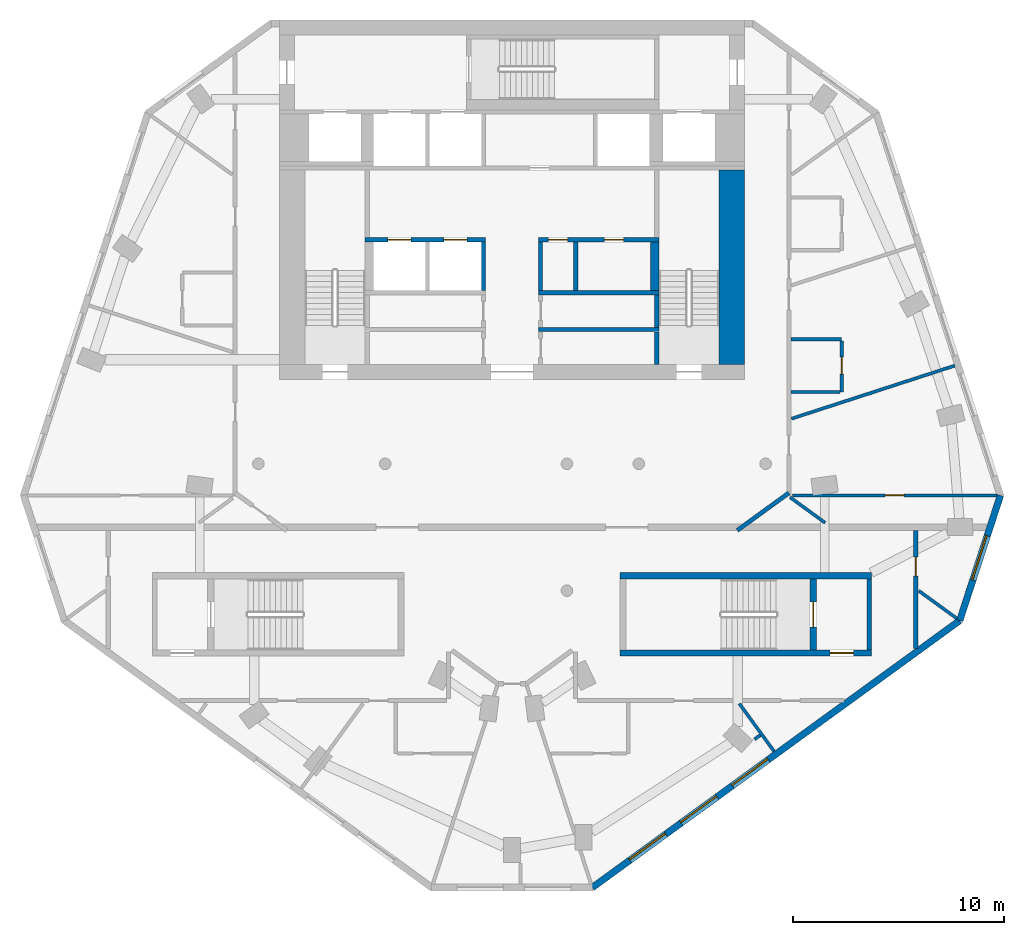
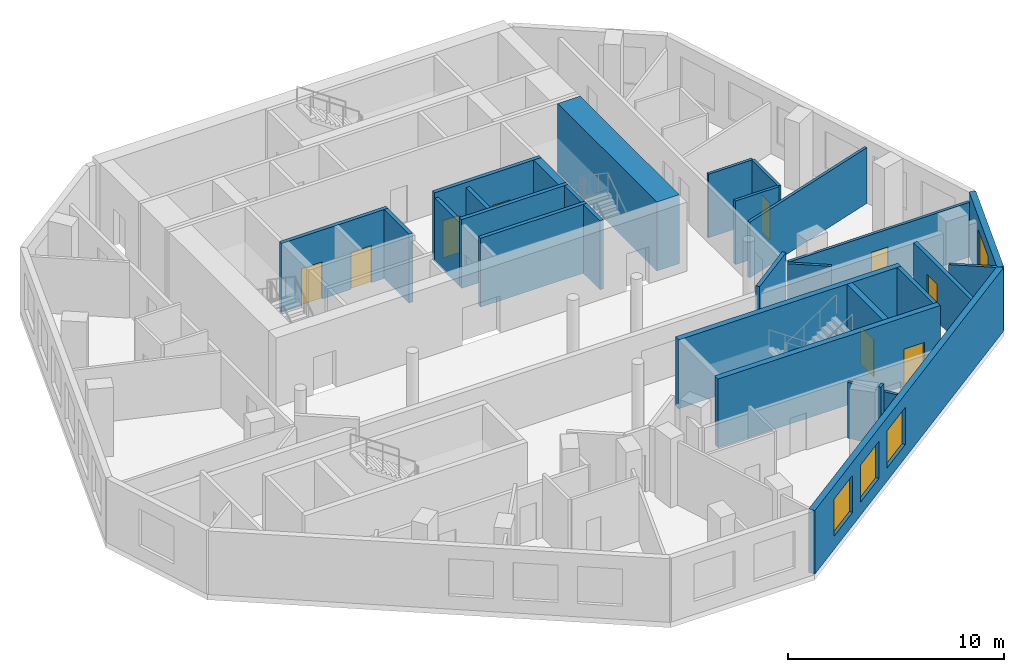
# One storey, part 4 of 8: 28 walls, 9 doors, 4 windows, 13 openings.
"""IFC4 building model written with IfcOpenShell, lengths in metres."""

import ifcopenshell
import ifcopenshell.guid

model = None  # the IFC model being written
_history = None  # IfcOwnerHistory: only IFC2X3 demands one
_inside = {}  # id of a spatial element -> (the spatial element, [elements in it])
_under = {}  # id of a project, library or spatial element -> (it, [spatial elements below it])
_declared = {}  # id of a project -> (the project, [libraries it declares])
_typed = {}  # id of a type object -> (the type object, [elements of that type])
_made_of = {}  # id of a material, layer set ... -> (it, [elements and type objects made of it])


def new_model(schema):
    """Start an empty IFC model of exactly this schema.

    Asked for "IFC4X3", IfcOpenShell would pick the latest addendum, in which some entities
    have other attributes; the version numbers below select the first issue.
    IFC2X3 requires an IfcOwnerHistory on every rooted entity: one is made here for all.
    """
    global model, _history
    if schema == "IFC4X3":
        model = ifcopenshell.file(schema_version=(4, 3, 0, 0))
    else:
        model = ifcopenshell.file(schema=schema)
    _inside.clear()
    _under.clear()
    _declared.clear()
    _typed.clear()
    _made_of.clear()
    _history = None
    if model.schema == "IFC2X3":
        org = make("IfcOrganization", Name="unknown")
        user = make(
            "IfcPersonAndOrganization",
            ThePerson=make("IfcPerson", FamilyName="unknown"),
            TheOrganization=org,
        )
        app = make(
            "IfcApplication",
            ApplicationDeveloper=org,
            Version="unknown",
            ApplicationFullName="unknown",
            ApplicationIdentifier="unknown",
        )
        _history = make(
            "IfcOwnerHistory",
            OwningUser=user,
            OwningApplication=app,
            ChangeAction="ADDED",
            CreationDate=0,
        )
    return model


def make(cls, **values):
    """One entity of the class cls with the attributes given. An attribute that is None is left unset."""
    return model.create_entity(
        cls, **{name: value for name, value in values.items() if value is not None}
    )


def rooted(cls, **values):
    """An entity with a GlobalId (a new one), such as an element, a storey or a relation."""
    return make(cls, GlobalId=ifcopenshell.guid.new(), OwnerHistory=_history, **values)


def si_unit(unit_type, name, prefix=None):
    """IfcSIUnit, for example si_unit("LENGTHUNIT", "METRE", prefix="MILLI")."""
    return make("IfcSIUnit", UnitType=unit_type, Prefix=prefix, Name=name)


def assignment(units):
    """IfcUnitAssignment: the units of a project."""
    return None if units is None else make("IfcUnitAssignment", Units=units)


def point(xyz):
    """IfcCartesianPoint."""
    return None if xyz is None else make("IfcCartesianPoint", Coordinates=xyz)


def direction(xyz):
    """IfcDirection."""
    return None if xyz is None else make("IfcDirection", DirectionRatios=xyz)


def frame(location, z_axis=None, x_axis=None):
    """IfcAxis2Placement3D, a coordinate frame: its origin and axes. An axis left out is left unset."""
    return make(
        "IfcAxis2Placement3D",
        Location=point(location),
        Axis=direction(z_axis),
        RefDirection=direction(x_axis),
    )


def frame_2d(location, x_axis=None):
    """IfcAxis2Placement2D, a coordinate frame in the plane: its origin and x axis."""
    return make(
        "IfcAxis2Placement2D", Location=point(location), RefDirection=direction(x_axis)
    )


def origin():
    """The frame at (0, 0, 0) with its axes left unset."""
    return frame((0.0, 0.0, 0.0))


def place(relative_to, where):
    """IfcLocalPlacement: puts the frame where relative to a parent placement (None: the world)."""
    return make(
        "IfcLocalPlacement", PlacementRelTo=relative_to, RelativePlacement=where
    )


def context(
    kind, dimensions, precision=None, world=None, true_north=None, identifier=None
):
    """IfcGeometricRepresentationContext, for example the 3D "Model" context."""
    return make(
        "IfcGeometricRepresentationContext",
        ContextIdentifier=identifier,
        ContextType=kind,
        CoordinateSpaceDimension=dimensions,
        Precision=precision,
        WorldCoordinateSystem=world,
        TrueNorth=true_north,
    )


def subcontext(parent, identifier, kind, view, scale=None):
    """IfcGeometricRepresentationSubContext, for example "Body" below "Model"."""
    return make(
        "IfcGeometricRepresentationSubContext",
        ContextIdentifier=identifier,
        ContextType=kind,
        ParentContext=parent,
        TargetScale=scale,
        TargetView=view,
    )


def project(units=None, contexts=None):
    """IfcProject with its units and contexts."""
    return rooted(
        "IfcProject",
        Name="project",
        RepresentationContexts=contexts,
        UnitsInContext=assignment(units),
    )


def spatial(cls, under=None, at=None, **own):
    """A site, building, storey or space (cls), placed at a placement, below another one or the project."""
    s = rooted(cls, ObjectPlacement=at, **own)
    if under is not None:
        _under.setdefault(under.id(), (under, []))[1].append(s)
    return s


def profile(cls, at=None, kind="AREA", **sizes):
    """A parametric profile (cls). Its sizes go by their IFC names, for example OverallWidth=200.0."""
    return make(cls, ProfileType=kind, Position=at, **sizes)


def rectangle(**sizes):
    """IfcRectangleProfileDef."""
    return profile("IfcRectangleProfileDef", **sizes)


def extrude(swept, where, along, depth):
    """IfcExtrudedAreaSolid: the profile swept, set in the frame where, extruded along a direction by depth."""
    return make(
        "IfcExtrudedAreaSolid",
        SweptArea=swept,
        Position=where,
        ExtrudedDirection=direction(along),
        Depth=depth,
    )


def shape(context_of_items, identifier, shape_type, items):
    """IfcShapeRepresentation: the items that make up one representation, for example the "Body"."""
    return make(
        "IfcShapeRepresentation",
        ContextOfItems=context_of_items,
        RepresentationIdentifier=identifier,
        RepresentationType=shape_type,
        Items=items,
    )


def material(Name=None, Category=None):
    """IfcMaterial."""
    return make("IfcMaterial", Name=Name, Category=Category)


def layer(
    of_material, thickness, ventilated=None, Name=None, Category=None, Priority=None
):
    """IfcMaterialLayer: one layer of a wall or slab, of a material (None: an air gap)."""
    return make(
        "IfcMaterialLayer",
        Material=of_material,
        LayerThickness=thickness,
        IsVentilated=ventilated,
        Name=Name,
        Category=Category,
        Priority=Priority,
    )


def layer_set(layers, Name=None):
    """IfcMaterialLayerSet."""
    return make("IfcMaterialLayerSet", MaterialLayers=layers, LayerSetName=Name)


def made_of(thing, what):
    """Note that an element or type object is made of a material, layer set ...; save() writes the relation."""
    if what is not None:
        _made_of.setdefault(what.id(), (what, []))[1].append(thing)
    return thing


def type_object(cls, material=None, **own):
    """A type object (cls), such as IfcWallType, which elements share."""
    return made_of(rooted(cls, **own), material)


def element(
    cls,
    number,
    at=None,
    inside=None,
    cuts=None,
    type_object=None,
    material=None,
    context=None,
    identifier="Body",
    shape_type=None,
    held_by="IfcProductDefinitionShape",
    body=None,
    shapes=None,
    **own,
):
    """One element of the class cls, such as IfcWall. Its Tag is "e" and its number.

    at: its placement. inside: the storey or other place that contains it. cuts: it is an
    opening in that element (IfcRelVoidsElement). A single representation is given by context,
    identifier, shape_type and body (its items); several are given by shapes. held_by: the class
    of the entity that holds the representations. save() writes the other relations.
    """
    e = rooted(cls, Tag="e%d" % number, ObjectPlacement=at, **own)
    if body is not None:
        shapes = [shape(context, identifier, shape_type, body)]
    if shapes is not None:
        e.Representation = make(held_by, Representations=shapes)
    if inside is not None:
        _inside.setdefault(inside.id(), (inside, []))[1].append(e)
    if cuts is not None:
        rooted(
            "IfcRelVoidsElement", RelatingBuildingElement=cuts, RelatedOpeningElement=e
        )
    if type_object is not None:
        _typed.setdefault(type_object.id(), (type_object, []))[1].append(e)
    return made_of(e, material)


def fill(opening, filler):
    """IfcRelFillsElement: the door or window that sits in an opening."""
    return rooted(
        "IfcRelFillsElement",
        RelatingOpeningElement=opening,
        RelatedBuildingElement=filler,
    )


def aggregate(whole, parts):
    """IfcRelAggregates: a whole, such as a stair, and the parts it consists of."""
    return rooted("IfcRelAggregates", RelatingObject=whole, RelatedObjects=parts)


def save(model, path):
    """Write the relations noted so far, then the file.

    IfcRelAggregates (storeys below a building ...), IfcRelContainedInSpatialStructure (elements
    in a storey), IfcRelDefinesByType, IfcRelAssociatesMaterial and IfcRelDeclares: one each for
    every whole, place, type object, material and project.
    """
    for whole, parts in _under.values():
        aggregate(whole, parts)
    for where, things in _inside.values():
        rooted(
            "IfcRelContainedInSpatialStructure",
            RelatedElements=things,
            RelatingStructure=where,
        )
    for kind, things in _typed.values():
        rooted("IfcRelDefinesByType", RelatedObjects=things, RelatingType=kind)
    for what, things in _made_of.values():
        rooted("IfcRelAssociatesMaterial", RelatedObjects=things, RelatingMaterial=what)
    for by, libraries in _declared.values():
        rooted("IfcRelDeclares", RelatingContext=by, RelatedDefinitions=libraries)
    model.write(path)


model = new_model("IFC4")

# Units and contexts
model_context = context("Model", 3, precision=1e-05, world=origin(), true_north=direction((0.0, 1.0)))
body_context = subcontext(model_context, "Body", "Model", "MODEL_VIEW")
ifc_project = project(units=[si_unit("LENGTHUNIT", "METRE"), si_unit("AREAUNIT", "SQUARE_METRE"), si_unit("VOLUMEUNIT", "CUBIC_METRE"), si_unit("PLANEANGLEUNIT", "RADIAN"), si_unit("MASSUNIT", "GRAM", prefix="KILO")], contexts=[model_context])

# Site, building, storey
site_placement = place(None, origin())
site = spatial("IfcSite", under=ifc_project, at=site_placement, CompositionType="ELEMENT")
building_placement = place(site_placement, origin())
building = spatial("IfcBuilding", under=site, at=building_placement, Name="White Candle Pilgrim Tower", CompositionType="ELEMENT")
storey_placement = place(building_placement, frame((0.0, 0.0, 275.60009765625)))
storey = spatial("IfcBuildingStorey", under=building, at=storey_placement, Name="L65", CompositionType="ELEMENT", Elevation=275.60009765625)

# Walls
ifc_material_1 = material(Name="Concrete C50/60", Category="concrete")
ifc_layer_1 = layer(ifc_material_1, 0.199951171875)
ifc_layer_set_1 = layer_set([ifc_layer_1], Name="Core wall 200 mm Concrete C50/60")
wall_type_1 = type_object("IfcWallType", Name="Core wall 200 mm Concrete C50/60", PredefinedType="SHEAR", material=ifc_layer_set_1)
wall_1_placement = place(storey_placement, frame((86.89990234375, 58.199951171875, 0.0), z_axis=(0.0, 0.0, 1.0), x_axis=(0.0, 1.0, 0.0)))
element("IfcWall", 1, at=wall_1_placement, inside=storey, type_object=wall_type_1, Name="WL-L65-C08", PredefinedType="SHEAR", context=body_context, shape_type="SweptSolid", body=[
    extrude(rectangle(XDim=3.35009765625, YDim=0.199951171875, at=frame_2d((1.675048828125, 0.0))), origin(), (0.0, 0.0, 1.0), 3.89990234375),
])
ifc_material_2 = material(Name="Gypsum board on steel studs", Category="steel")
ifc_layer_2 = layer(ifc_material_2, 0.199951171875)
ifc_layer_set_2 = layer_set([ifc_layer_2], Name="Corridor wall 200 mm EI 45")
wall_type_2 = type_object("IfcWallType", Name="Corridor wall 200 mm EI 45", PredefinedType="PARTITIONING", material=ifc_layer_set_2)
wall_2_placement = place(storey_placement, frame((83.10009765625, 65.624267578125, 0.0), z_axis=(0.0, 0.0, 1.0), x_axis=(-0.809040258859, -0.587753230144, 0.0)))
element("IfcWall", 2, at=wall_2_placement, inside=storey, type_object=wall_type_2, Name="WL-L65-P005", PredefinedType="PARTITIONING", context=body_context, shape_type="SweptSolid", body=[
    extrude(rectangle(XDim=3.0185546875, YDim=0.199951171875, at=frame_2d((1.50927734375, 0.0))), origin(), (0.0, 0.0, 1.0), 3.599853515625),
])

# Wall, opening, door
wall_3_placement = place(storey_placement, frame((89.10009765625, 63.85009765625, 0.0), z_axis=(0.0, 0.0, 1.0), x_axis=(0.0, -1.0, 0.0)))
wall_3 = element("IfcWall", 3, at=wall_3_placement, inside=storey, type_object=wall_type_2, Name="WL-L65-P006", PredefinedType="PARTITIONING", context=body_context, shape_type="SweptSolid", body=[
    extrude(rectangle(XDim=5.58447265625, YDim=0.199951171875, at=frame_2d((2.792236328125, 0.0))), origin(), (0.0, 0.0, 1.0), 3.14990234375),
])
opening_1_placement = place(wall_3_placement, frame((1.264892578125, 0.0, 0.0)))
opening_1 = element("IfcOpeningElement", 4, at=opening_1_placement, cuts=wall_3, Name="Opening T20-122", PredefinedType="OPENING", context=body_context, shape_type="SweptSolid", body=[
    extrude(rectangle(XDim=0.89990234375, YDim=2.10009765625, at=frame_2d((0.449951171875, 1.050048828125))), frame((0.0, 0.10986328125, 0.0), z_axis=(0.0, -1.0, 0.0), x_axis=(1.0, 0.0, 0.0)), (0.0, 0.0, 1.0), 0.219970703125),
])
ifc_material_3 = material(Name="Steel door leaf", Category="steel")
door_type_1 = type_object("IfcDoorType", Name="Fire door 900 x 2100 EI 30", OperationType="NOTDEFINED", PredefinedType="DOOR", material=ifc_material_3)
door_1_placement = place(opening_1_placement, origin())
door_1 = element("IfcDoor", 5, at=door_1_placement, inside=storey, type_object=door_type_1, Name="Door T20-122", OperationType="SINGLE_SWING_RIGHT", OverallHeight=2.10009765625, OverallWidth=0.89990234375, PredefinedType="DOOR", context=body_context, shape_type="SweptSolid", body=[
    extrude(rectangle(XDim=0.89990234375, YDim=2.10009765625, at=frame_2d((0.449951171875, 1.050048828125))), frame((0.0, 0.02490234375, 0.0), z_axis=(0.0, -1.0, 0.0), x_axis=(1.0, 0.0, 0.0)), (0.0, 0.0, 1.0), 0.050048828125),
])
fill(opening_1, door_1)

# Wall, openings, windows
ifc_material_4 = material(Name="Precast concrete C40/50", Category="concrete")
ifc_layer_3 = layer(ifc_material_4, 0.320068359375)
ifc_layer_set_3 = layer_set([ifc_layer_3], Name="Facade wall EW1 precast concrete C40/50 pier wall with timber-lined reveals")
wall_type_3 = type_object("IfcWallType", Name="Facade wall EW1 precast concrete C40/50 pier wall with timber-lined reveals", PredefinedType="SOLIDWALL", material=ifc_layer_set_3)
wall_4_placement = place(storey_placement, frame((73.799560546875, 46.951416015625, 0.0), z_axis=(0.0, 0.0, 1.0), x_axis=(0.809016992157, 0.587785255346, 0.0)))
wall_4 = element("IfcWall", 6, at=wall_4_placement, inside=storey, type_object=wall_type_3, Name="Facade wall L65 SE", PredefinedType="SOLIDWALL", context=body_context, shape_type="SweptSolid", body=[
    extrude(rectangle(XDim=21.490478515625, YDim=0.320068359375, at=frame_2d((10.7451171875, 0.0))), origin(), (0.0, 0.0, 1.0), 3.599853515625),
])
opening_2_placement = place(wall_4_placement, frame((2.1953125, 0.0, 0.75)))
opening_2 = element("IfcOpeningElement", 7, at=opening_2_placement, cuts=wall_4, Name="Opening W3", PredefinedType="OPENING", context=body_context, shape_type="SweptSolid", body=[
    extrude(rectangle(XDim=2.10009765625, YDim=2.10009765625, at=frame_2d((1.050048828125, 1.050048828125))), frame((0.0, 0.169921875, 0.0), z_axis=(0.0, -1.0, 0.0), x_axis=(1.0, 0.0, 0.0)), (0.0, 0.0, 1.0), 0.340087890625),
])
opening_3_placement = place(wall_4_placement, frame((5.1953125, 0.0, 0.75)))
opening_3 = element("IfcOpeningElement", 8, at=opening_3_placement, cuts=wall_4, Name="Opening W3", PredefinedType="OPENING", context=body_context, shape_type="SweptSolid", body=[
    extrude(rectangle(XDim=2.10009765625, YDim=2.10009765625, at=frame_2d((1.050048828125, 1.050048828125))), frame((0.0, 0.169921875, 0.0), z_axis=(0.0, -1.0, 0.0), x_axis=(1.0, 0.0, 0.0)), (0.0, 0.0, 1.0), 0.340087890625),
])
opening_4_placement = place(wall_4_placement, frame((8.1953125, 0.0, 0.75)))
opening_4 = element("IfcOpeningElement", 9, at=opening_4_placement, cuts=wall_4, Name="Opening W3", PredefinedType="OPENING", context=body_context, shape_type="SweptSolid", body=[
    extrude(rectangle(XDim=2.10009765625, YDim=2.10009765625, at=frame_2d((1.050048828125, 1.050048828125))), frame((0.0, 0.169921875, 0.0), z_axis=(0.0, -1.0, 0.0), x_axis=(1.0, 0.0, 0.0)), (0.0, 0.0, 1.0), 0.340087890625),
])
ifc_material_5 = material(Name="Timber frame with triple glazing", Category="wood")
window_type_1 = type_object("IfcWindowType", Name="Window W3 2100x2100 timber frame triple glazing", PartitioningType="SINGLE_PANEL", PredefinedType="WINDOW", material=ifc_material_5)
window_1_placement = place(opening_2_placement, origin())
window_1 = element("IfcWindow", 10, at=window_1_placement, inside=storey, type_object=window_type_1, Name="Window W3 L65 SE 1", OverallHeight=2.10009765625, OverallWidth=2.10009765625, PartitioningType="SINGLE_PANEL", PredefinedType="WINDOW", context=body_context, shape_type="SweptSolid", body=[
    extrude(rectangle(XDim=2.10009765625, YDim=2.10009765625, at=frame_2d((1.050048828125, 1.050048828125))), frame((0.0, 0.070068359375, 0.0), z_axis=(0.0, -1.0, 0.0), x_axis=(1.0, 0.0, 0.0)), (0.0, 0.0, 1.0), 0.06005859375),
])
fill(opening_2, window_1)
window_2_placement = place(opening_3_placement, origin())
window_2 = element("IfcWindow", 11, at=window_2_placement, inside=storey, type_object=window_type_1, Name="Window W3 L65 SE 2", OverallHeight=2.10009765625, OverallWidth=2.10009765625, PartitioningType="SINGLE_PANEL", PredefinedType="WINDOW", context=body_context, shape_type="SweptSolid", body=[
    extrude(rectangle(XDim=2.10009765625, YDim=2.10009765625, at=frame_2d((1.050048828125, 1.050048828125))), frame((0.0, 0.070068359375, 0.0), z_axis=(0.0, -1.0, 0.0), x_axis=(1.0, 0.0, 0.0)), (0.0, 0.0, 1.0), 0.06005859375),
])
fill(opening_3, window_2)
window_3_placement = place(opening_4_placement, origin())
window_3 = element("IfcWindow", 12, at=window_3_placement, inside=storey, type_object=window_type_1, Name="Window W3 L65 SE 3", OverallHeight=2.10009765625, OverallWidth=2.10009765625, PartitioningType="SINGLE_PANEL", PredefinedType="WINDOW", context=body_context, shape_type="SweptSolid", body=[
    extrude(rectangle(XDim=2.10009765625, YDim=2.10009765625, at=frame_2d((1.050048828125, 1.050048828125))), frame((0.0, 0.070068359375, 0.0), z_axis=(0.0, -1.0, 0.0), x_axis=(1.0, 0.0, 0.0)), (0.0, 0.0, 1.0), 0.06005859375),
])
fill(opening_4, window_3)

# Wall, opening, window
wall_5_placement = place(storey_placement, frame((91.185791015625, 59.583251953125, 0.0), z_axis=(0.0, 0.0, 1.0), x_axis=(0.309021364513, 0.95105509634, 0.0)))
wall_5 = element("IfcWall", 13, at=wall_5_placement, inside=storey, type_object=wall_type_3, Name="Facade wall L65 E chamfer", PredefinedType="SOLIDWALL", context=body_context, shape_type="SweptSolid", body=[
    extrude(rectangle(XDim=6.22802734375, YDim=0.320068359375, at=frame_2d((3.114013671875, 0.0))), origin(), (0.0, 0.0, 1.0), 3.599853515625),
])
opening_5_placement = place(wall_5_placement, frame((2.013916015625, 0.0, 0.75)))
opening_5 = element("IfcOpeningElement", 14, at=opening_5_placement, cuts=wall_5, Name="Opening W4", PredefinedType="OPENING", context=body_context, shape_type="SweptSolid", body=[
    extrude(rectangle(XDim=2.199951171875, YDim=2.10009765625, at=frame_2d((1.10009765625, 1.050048828125))), frame((0.0, 0.169921875, 0.0), z_axis=(0.0, -1.0, 0.0), x_axis=(1.0, 0.0, 0.0)), (0.0, 0.0, 1.0), 0.340087890625),
])
window_type_2 = type_object("IfcWindowType", Name="Window W4 2200x2100 timber frame triple glazing", PartitioningType="SINGLE_PANEL", PredefinedType="WINDOW", material=ifc_material_5)
window_4_placement = place(opening_5_placement, origin())
window_4 = element("IfcWindow", 15, at=window_4_placement, inside=storey, type_object=window_type_2, Name="Window W4 L65 E chamfer 1", OverallHeight=2.10009765625, OverallWidth=2.199951171875, PartitioningType="SINGLE_PANEL", PredefinedType="WINDOW", context=body_context, shape_type="SweptSolid", body=[
    extrude(rectangle(XDim=2.199951171875, YDim=2.10009765625, at=frame_2d((1.10009765625, 1.050048828125))), frame((0.0, 0.070068359375, 0.0), z_axis=(0.0, -1.0, 0.0), x_axis=(1.0, 0.0, 0.0)), (0.0, 0.0, 1.0), 0.06005859375),
])
fill(opening_5, window_4)

# Walls
ifc_layer_4 = layer(ifc_material_2, 0.199951171875)
ifc_layer_set_4 = layer_set([ifc_layer_4], Name="Lobby wall 200 mm EI 60")
wall_type_4 = type_object("IfcWallType", Name="Lobby wall 200 mm EI 60", PredefinedType="PARTITIONING", material=ifc_layer_set_4)
for number, where, z_axis, x_axis, name in (
    (16, (71.35009765625, 75.199951171875, 0.0), (0.0, 0.0, 1.0), (0.0, 1.0, 0.0), "WL-L65-C29"),
    (17, (73.02001953125, 75.199951171875, 0.0), (0.0, 0.0, 1.0), (0.0, 1.0, 0.0), "WL-L65-C30"),
):
    element("IfcWall", number, at=place(storey_placement, frame(where, z_axis=z_axis, x_axis=x_axis)), inside=storey, type_object=wall_type_4, Name=name, PredefinedType="PARTITIONING", context=body_context, shape_type="SweptSolid", body=[
        extrude(rectangle(XDim=2.300048828125, YDim=0.199951171875, at=frame_2d((1.14990234375, 0.0))), origin(), (0.0, 0.0, 1.0), 3.599853515625),
    ])
ifc_layer_5 = layer(ifc_material_2, 0.14990234375)
ifc_layer_set_5 = layer_set([ifc_layer_5], Name="Partition 150 mm EI 60")
wall_type_5 = type_object("IfcWallType", Name="Partition 150 mm EI 60", PredefinedType="PARTITIONING", material=ifc_layer_set_5)
wall_6_placement = place(storey_placement, frame((91.0498046875, 59.68212890625, 0.0), z_axis=(0.0, 0.0, 1.0), x_axis=(-0.809043446495, 0.58774884235, 0.0)))
element("IfcWall", 18, at=wall_6_placement, inside=storey, type_object=wall_type_5, Name="WL-L65-P021", PredefinedType="PARTITIONING", context=body_context, shape_type="SweptSolid", body=[
    extrude(rectangle(XDim=2.23193359375, YDim=0.14990234375, at=frame_2d((1.115966796875, 0.0))), origin(), (0.0, 0.0, 1.0), 3.599853515625),
])
wall_7_placement = place(storey_placement, frame((84.816650390625, 64.210693359375, 0.0), z_axis=(0.0, 0.0, 1.0), x_axis=(-0.808988095345, 0.587825026338, 0.0)))
element("IfcWall", 19, at=wall_7_placement, inside=storey, type_object=wall_type_5, Name="WL-L65-P022", PredefinedType="PARTITIONING", context=body_context, shape_type="SweptSolid", body=[
    extrude(rectangle(XDim=2.05224609375, YDim=0.14990234375, at=frame_2d((1.026123046875, 0.0))), origin(), (0.0, 0.0, 1.0), 3.099853515625),
])

# Wall, opening, door
wall_8_placement = place(storey_placement, frame((92.94189453125, 65.506103515625, 0.0), z_axis=(0.0, 0.0, 1.0), x_axis=(-1.0, 0.0, 0.0)))
wall_8 = element("IfcWall", 20, at=wall_8_placement, inside=storey, type_object=wall_type_5, Name="WL-L65-P023", PredefinedType="PARTITIONING", context=body_context, shape_type="SweptSolid", body=[
    extrude(rectangle(XDim=9.677490234375, YDim=0.14990234375, at=frame_2d((4.8388671875, 0.0))), origin(), (0.0, 0.0, 1.0), 3.099853515625),
])
opening_6_placement = place(wall_8_placement, frame((4.388916015625, 0.0, 0.0)))
opening_6 = element("IfcOpeningElement", 21, at=opening_6_placement, cuts=wall_8, Name="Opening T20-121", PredefinedType="OPENING", context=body_context, shape_type="SweptSolid", body=[
    extrude(rectangle(XDim=0.89990234375, YDim=2.10009765625, at=frame_2d((0.449951171875, 1.050048828125))), frame((0.0, 0.0849609375, 0.0), z_axis=(0.0, -1.0, 0.0), x_axis=(1.0, 0.0, 0.0)), (0.0, 0.0, 1.0), 0.169921875),
])
door_2_placement = place(opening_6_placement, origin())
door_2 = element("IfcDoor", 22, at=door_2_placement, inside=storey, type_object=door_type_1, Name="Door T20-121", OperationType="SINGLE_SWING_LEFT", OverallHeight=2.10009765625, OverallWidth=0.89990234375, PredefinedType="DOOR", context=body_context, shape_type="SweptSolid", body=[
    extrude(rectangle(XDim=0.89990234375, YDim=2.10009765625, at=frame_2d((0.449951171875, 1.050048828125))), frame((0.0, 0.02490234375, 0.0), z_axis=(0.0, -1.0, 0.0), x_axis=(1.0, 0.0, 0.0)), (0.0, 0.0, 1.0), 0.050048828125),
])
fill(opening_6, door_2)

# Walls
wall_9_placement = place(storey_placement, frame((82.398681640625, 53.396728515625, 0.0), z_axis=(0.0, 0.0, 1.0), x_axis=(-0.587760958755, 0.809034644106, 0.0)))
element("IfcWall", 23, at=wall_9_placement, inside=storey, type_object=wall_type_5, Name="WL-L65-P033", PredefinedType="PARTITIONING", context=body_context, shape_type="SweptSolid", body=[
    extrude(rectangle(XDim=2.79248046875, YDim=0.14990234375, at=frame_2d((1.396240234375, 0.0))), origin(), (0.0, 0.0, 1.0), 3.14990234375),
])
wall_10_placement = place(storey_placement, frame((90.947265625, 71.6455078125, 0.0), z_axis=(0.0, 0.0, 1.0), x_axis=(-0.951063666358, -0.308994987878, 0.0)))
element("IfcWall", 24, at=wall_10_placement, inside=storey, type_object=wall_type_5, Name="WL-L65-P036", PredefinedType="PARTITIONING", context=body_context, shape_type="SweptSolid", body=[
    extrude(rectangle(XDim=8.12158203125, YDim=0.14990234375, at=frame_2d((4.060791015625, 0.0))), origin(), (0.0, 0.0, 1.0), 3.14990234375),
])
wall_11_placement = place(storey_placement, frame((83.199951171875, 72.89599609375, 0.0), z_axis=(0.0, 0.0, 1.0), x_axis=(1.0, 0.0, 0.0)))
element("IfcWall", 25, at=wall_11_placement, inside=storey, type_object=wall_type_5, Name="WL-L65-P038", PredefinedType="PARTITIONING", context=body_context, shape_type="SweptSolid", body=[
    extrude(rectangle(XDim=2.400146484375, YDim=0.14990234375, at=frame_2d((1.2001953125, 0.0))), origin(), (0.0, 0.0, 1.0), 3.599853515625),
])

# Wall, opening, door
wall_12_placement = place(storey_placement, frame((85.60009765625, 70.39599609375, 0.0), z_axis=(0.0, 0.0, 1.0), x_axis=(0.0, 1.0, 0.0)))
wall_12 = element("IfcWall", 26, at=wall_12_placement, inside=storey, type_object=wall_type_5, Name="WL-L65-P039", PredefinedType="PARTITIONING", context=body_context, shape_type="SweptSolid", body=[
    extrude(rectangle(XDim=2.4248046875, YDim=0.14990234375, at=frame_2d((1.21240234375, 0.0))), origin(), (0.0, 0.0, 1.0), 3.599853515625),
])
opening_7_placement = place(wall_12_placement, frame((0.85009765625, 0.0, 0.0)))
opening_7 = element("IfcOpeningElement", 27, at=opening_7_placement, cuts=wall_12, Name="Opening T20-109", PredefinedType="OPENING", context=body_context, shape_type="SweptSolid", body=[
    extrude(rectangle(XDim=0.800048828125, YDim=2.10009765625, at=frame_2d((0.39990234375, 1.050048828125))), frame((0.0, 0.0849609375, 0.0), z_axis=(0.0, -1.0, 0.0), x_axis=(1.0, 0.0, 0.0)), (0.0, 0.0, 1.0), 0.169921875),
])
door_type_2 = type_object("IfcDoorType", Name="Fire door 800 x 2100 EI 30", OperationType="NOTDEFINED", PredefinedType="DOOR", material=ifc_material_3)
door_3_placement = place(opening_7_placement, frame((0.800048828125, 0.0, 0.0), z_axis=(0.0, 0.0, 1.0), x_axis=(-1.0, 0.0, 0.0)))
door_3 = element("IfcDoor", 28, at=door_3_placement, inside=storey, type_object=door_type_2, Name="Door T20-109", OperationType="SINGLE_SWING_RIGHT", OverallHeight=2.10009765625, OverallWidth=0.800048828125, PredefinedType="DOOR", context=body_context, shape_type="SweptSolid", body=[
    extrude(rectangle(XDim=0.800048828125, YDim=2.10009765625, at=frame_2d((0.39990234375, 1.050048828125))), frame((0.0, 0.02490234375, 0.0), z_axis=(0.0, -1.0, 0.0), x_axis=(1.0, 0.0, 0.0)), (0.0, 0.0, 1.0), 0.050048828125),
])
fill(opening_7, door_3)

# Walls
wall_13_placement = place(storey_placement, frame((83.199951171875, 70.39599609375, 0.0), z_axis=(0.0, 0.0, 1.0), x_axis=(1.0, 0.0, 0.0)))
element("IfcWall", 29, at=wall_13_placement, inside=storey, type_object=wall_type_5, Name="WL-L65-P040", PredefinedType="PARTITIONING", context=body_context, shape_type="SweptSolid", body=[
    extrude(rectangle(XDim=2.324951171875, YDim=0.14990234375, at=frame_2d((1.16259765625, 0.0))), origin(), (0.0, 0.0, 1.0), 3.599853515625),
])
wall_14_placement = place(storey_placement, frame((81.474609375, 53.966064453125, 0.0), z_axis=(0.0, 0.0, 1.0), x_axis=(0.808923438647, 0.587913999159, 0.0)))
element("IfcWall", 30, at=wall_14_placement, inside=storey, type_object=wall_type_5, Name="WL-L65-P045", PredefinedType="PARTITIONING", context=body_context, shape_type="SweptSolid", body=[
    extrude(rectangle(XDim=0.338134765625, YDim=0.14990234375, at=frame_2d((0.1689453125, 0.0))), origin(), (0.0, 0.0, 1.0), 3.599853515625),
])
ifc_layer_6 = layer(ifc_material_1, 0.199951171875)
ifc_layer_set_6 = layer_set([ifc_layer_6], Name="Shaft wall 200 mm Concrete C50/60")
wall_type_6 = type_object("IfcWallType", Name="Shaft wall 200 mm Concrete C50/60", PredefinedType="SHEAR", material=ifc_layer_set_6)
wall_15_placement = place(storey_placement, frame((68.64990234375, 75.199951171875, 0.0), z_axis=(0.0, 0.0, 1.0), x_axis=(0.0, 1.0, 0.0)))
element("IfcWall", 31, at=wall_15_placement, inside=storey, type_object=wall_type_6, Name="WL-L65-C28", PredefinedType="SHEAR", context=body_context, shape_type="SweptSolid", body=[
    extrude(rectangle(XDim=2.300048828125, YDim=0.199951171875, at=frame_2d((1.14990234375, 0.0))), origin(), (0.0, 0.0, 1.0), 3.89990234375),
])
ifc_layer_7 = layer(ifc_material_1, 1.199951171875)
ifc_layer_set_7 = layer_set([ifc_layer_7], Name="Stair shaft wall 1200 mm Concrete C50/60")
wall_type_7 = type_object("IfcWallType", Name="Stair shaft wall 1200 mm Concrete C50/60", PredefinedType="SHEAR", material=ifc_layer_set_7)
wall_16_placement = place(storey_placement, frame((80.39990234375, 71.699951171875, 0.0), z_axis=(0.0, 0.0, 1.0), x_axis=(0.0, 1.0, 0.0)))
element("IfcWall", 32, at=wall_16_placement, inside=storey, type_object=wall_type_7, Name="WL-L65-C17", PredefinedType="SHEAR", context=body_context, shape_type="SweptSolid", body=[
    extrude(rectangle(XDim=9.199951171875, YDim=1.199951171875, at=frame_2d((4.60009765625, 0.0))), origin(), (0.0, 0.0, 1.0), 3.89990234375),
])
ifc_layer_8 = layer(ifc_material_1, 0.199951171875)
ifc_layer_set_8 = layer_set([ifc_layer_8], Name="Stair shaft wall 200 mm Concrete C50/60")
wall_type_8 = type_object("IfcWallType", Name="Stair shaft wall 200 mm Concrete C50/60", PredefinedType="SHEAR", material=ifc_layer_set_8)
wall_17_placement = place(storey_placement, frame((76.85009765625, 71.699951171875, 0.0), z_axis=(0.0, 0.0, 1.0), x_axis=(0.0, 1.0, 0.0)))
element("IfcWall", 33, at=wall_17_placement, inside=storey, type_object=wall_type_8, Name="WL-L65-C16", PredefinedType="SHEAR", context=body_context, shape_type="SweptSolid", body=[
    extrude(rectangle(XDim=1.550048828125, YDim=0.199951171875, at=frame_2d((0.77490234375, 0.0))), origin(), (0.0, 0.0, 1.0), 3.89990234375),
])
wall_18_placement = place(storey_placement, frame((71.25, 73.35009765625, 0.0), z_axis=(0.0, 0.0, 1.0), x_axis=(1.0, 0.0, 0.0)))
element("IfcWall", 34, at=wall_18_placement, inside=storey, type_object=wall_type_8, Name="WL-L65-C19", PredefinedType="SHEAR", context=body_context, shape_type="SweptSolid", body=[
    extrude(rectangle(XDim=5.699951171875, YDim=0.199951171875, at=frame_2d((2.85009765625, 0.0))), origin(), (0.0, 0.0, 1.0), 3.89990234375),
])
wall_19_placement = place(storey_placement, frame((76.85009765625, 73.449951171875, 0.0), z_axis=(0.0, 0.0, 1.0), x_axis=(0.0, 1.0, 0.0)))
element("IfcWall", 35, at=wall_19_placement, inside=storey, type_object=wall_type_8, Name="WL-L65-C23", PredefinedType="SHEAR", context=body_context, shape_type="SweptSolid", body=[
    extrude(rectangle(XDim=1.550048828125, YDim=0.199951171875, at=frame_2d((0.77490234375, 0.0))), origin(), (0.0, 0.0, 1.0), 3.89990234375),
])
wall_20_placement = place(storey_placement, frame((71.25, 75.10009765625, 0.0), z_axis=(0.0, 0.0, 1.0), x_axis=(1.0, 0.0, 0.0)))
element("IfcWall", 36, at=wall_20_placement, inside=storey, type_object=wall_type_8, Name="WL-L65-C25", PredefinedType="SHEAR", context=body_context, shape_type="SweptSolid", body=[
    extrude(rectangle(XDim=5.699951171875, YDim=0.199951171875, at=frame_2d((2.85009765625, 0.0))), origin(), (0.0, 0.0, 1.0), 3.89990234375),
])

# Wall, openings, doors
wall_21_placement = place(storey_placement, frame((63.050048828125, 77.60009765625, 0.0), z_axis=(0.0, 0.0, 1.0), x_axis=(1.0, 0.0, 0.0)))
wall_21 = element("IfcWall", 37, at=wall_21_placement, inside=storey, type_object=wall_type_8, Name="WL-L65-C32", PredefinedType="SHEAR", context=body_context, shape_type="SweptSolid", body=[
    extrude(rectangle(XDim=5.699951171875, YDim=0.199951171875, at=frame_2d((2.85009765625, 0.0))), origin(), (0.0, 0.0, 1.0), 3.89990234375),
])
opening_8_placement = place(wall_21_placement, frame((1.074951171875, 0.0, 0.0)))
opening_8 = element("IfcOpeningElement", 38, at=opening_8_placement, cuts=wall_21, Name="Opening T20-015", PredefinedType="OPENING", context=body_context, shape_type="SweptSolid", body=[
    extrude(rectangle(XDim=1.10009765625, YDim=2.10009765625, at=frame_2d((0.550048828125, 1.050048828125))), frame((0.0, 0.10986328125, 0.0), z_axis=(0.0, -1.0, 0.0), x_axis=(1.0, 0.0, 0.0)), (0.0, 0.0, 1.0), 0.219970703125),
])
opening_9_placement = place(wall_21_placement, frame((3.72509765625, 0.0, 0.0)))
opening_9 = element("IfcOpeningElement", 39, at=opening_9_placement, cuts=wall_21, Name="Opening T20-016", PredefinedType="OPENING", context=body_context, shape_type="SweptSolid", body=[
    extrude(rectangle(XDim=1.10009765625, YDim=2.10009765625, at=frame_2d((0.550048828125, 1.050048828125))), frame((0.0, 0.10986328125, 0.0), z_axis=(0.0, -1.0, 0.0), x_axis=(1.0, 0.0, 0.0)), (0.0, 0.0, 1.0), 0.219970703125),
])
ifc_material_6 = material(Name="Stainless steel", Category="steel")
door_type_3 = type_object("IfcDoorType", Name="Lift landing door 1100 x 2100 E 60", OperationType="DOUBLE_DOOR_SLIDING", PredefinedType="DOOR", material=ifc_material_6)
door_4_placement = place(opening_8_placement, origin())
door_4 = element("IfcDoor", 40, at=door_4_placement, inside=storey, type_object=door_type_3, Name="Door T20-015", OperationType="DOUBLE_DOOR_SLIDING", OverallHeight=2.10009765625, OverallWidth=1.10009765625, PredefinedType="DOOR", context=body_context, shape_type="SweptSolid", body=[
    extrude(rectangle(XDim=1.10009765625, YDim=2.10009765625, at=frame_2d((0.550048828125, 1.050048828125))), frame((0.0, 0.02490234375, 0.0), z_axis=(0.0, -1.0, 0.0), x_axis=(1.0, 0.0, 0.0)), (0.0, 0.0, 1.0), 0.050048828125),
])
fill(opening_8, door_4)
door_5_placement = place(opening_9_placement, origin())
door_5 = element("IfcDoor", 41, at=door_5_placement, inside=storey, type_object=door_type_3, Name="Door T20-016", OperationType="DOUBLE_DOOR_SLIDING", OverallHeight=2.10009765625, OverallWidth=1.10009765625, PredefinedType="DOOR", context=body_context, shape_type="SweptSolid", body=[
    extrude(rectangle(XDim=1.10009765625, YDim=2.10009765625, at=frame_2d((0.550048828125, 1.050048828125))), frame((0.0, 0.02490234375, 0.0), z_axis=(0.0, -1.0, 0.0), x_axis=(1.0, 0.0, 0.0)), (0.0, 0.0, 1.0), 0.050048828125),
])
fill(opening_9, door_5)

wall_22_placement = place(storey_placement, frame((71.25, 77.60009765625, 0.0), z_axis=(0.0, 0.0, 1.0), x_axis=(1.0, 0.0, 0.0)))
wall_22 = element("IfcWall", 42, at=wall_22_placement, inside=storey, type_object=wall_type_8, Name="WL-L65-C33", PredefinedType="SHEAR", context=body_context, shape_type="SweptSolid", body=[
    extrude(rectangle(XDim=5.699951171875, YDim=0.199951171875, at=frame_2d((2.85009765625, 0.0))), origin(), (0.0, 0.0, 1.0), 3.89990234375),
])
opening_10_placement = place(wall_22_placement, frame((0.485107421875, 0.0, 0.0)))
opening_10 = element("IfcOpeningElement", 43, at=opening_10_placement, cuts=wall_22, Name="Opening T20-021", PredefinedType="OPENING", context=body_context, shape_type="SweptSolid", body=[
    extrude(rectangle(XDim=0.89990234375, YDim=2.10009765625, at=frame_2d((0.449951171875, 1.050048828125))), frame((0.0, 0.10986328125, 0.0), z_axis=(0.0, -1.0, 0.0), x_axis=(1.0, 0.0, 0.0)), (0.0, 0.0, 1.0), 0.219970703125),
])
opening_11_placement = place(wall_22_placement, frame((3.135009765625, 0.0, 0.0)))
opening_11 = element("IfcOpeningElement", 44, at=opening_11_placement, cuts=wall_22, Name="Opening T20-022", PredefinedType="OPENING", context=body_context, shape_type="SweptSolid", body=[
    extrude(rectangle(XDim=0.89990234375, YDim=2.10009765625, at=frame_2d((0.449951171875, 1.050048828125))), frame((0.0, 0.10986328125, 0.0), z_axis=(0.0, -1.0, 0.0), x_axis=(1.0, 0.0, 0.0)), (0.0, 0.0, 1.0), 0.219970703125),
])
door_6_placement = place(opening_10_placement, origin())
door_6 = element("IfcDoor", 45, at=door_6_placement, inside=storey, type_object=door_type_1, Name="Door T20-021", OperationType="SINGLE_SWING_LEFT", OverallHeight=2.10009765625, OverallWidth=0.89990234375, PredefinedType="DOOR", context=body_context, shape_type="SweptSolid", body=[
    extrude(rectangle(XDim=0.89990234375, YDim=2.10009765625, at=frame_2d((0.449951171875, 1.050048828125))), frame((0.0, 0.02490234375, 0.0), z_axis=(0.0, -1.0, 0.0), x_axis=(1.0, 0.0, 0.0)), (0.0, 0.0, 1.0), 0.050048828125),
])
fill(opening_10, door_6)
door_7_placement = place(opening_11_placement, origin())
door_7 = element("IfcDoor", 46, at=door_7_placement, inside=storey, type_object=door_type_1, Name="Door T20-022", OperationType="SINGLE_SWING_RIGHT", OverallHeight=2.10009765625, OverallWidth=0.89990234375, PredefinedType="DOOR", context=body_context, shape_type="SweptSolid", body=[
    extrude(rectangle(XDim=0.89990234375, YDim=2.10009765625, at=frame_2d((0.449951171875, 1.050048828125))), frame((0.0, 0.02490234375, 0.0), z_axis=(0.0, -1.0, 0.0), x_axis=(1.0, 0.0, 0.0)), (0.0, 0.0, 1.0), 0.050048828125),
])
fill(opening_11, door_7)

# Wall, opening, door
ifc_layer_9 = layer(ifc_material_1, 0.300048828125)
ifc_layer_set_9 = layer_set([ifc_layer_9], Name="Stair shaft wall 300 mm Concrete C50/60")
wall_type_9 = type_object("IfcWallType", Name="Stair shaft wall 300 mm Concrete C50/60", PredefinedType="SHEAR", material=ifc_layer_set_9)
wall_23_placement = place(storey_placement, frame((75.10009765625, 58.050048828125, 0.0), z_axis=(0.0, 0.0, 1.0), x_axis=(1.0, 0.0, 0.0)))
wall_23 = element("IfcWall", 47, at=wall_23_placement, inside=storey, type_object=wall_type_9, Name="WL-L65-C02", PredefinedType="SHEAR", context=body_context, shape_type="SweptSolid", body=[
    extrude(rectangle(XDim=11.89990234375, YDim=0.300048828125, at=frame_2d((5.949951171875, 0.0))), origin(), (0.0, 0.0, 1.0), 3.89990234375),
])
opening_12_placement = place(wall_23_placement, frame((9.949951171875, 0.0, 0.0)))
opening_12 = element("IfcOpeningElement", 48, at=opening_12_placement, cuts=wall_23, Name="Opening T20-013", PredefinedType="OPENING", context=body_context, shape_type="SweptSolid", body=[
    extrude(rectangle(XDim=1.10009765625, YDim=2.10009765625, at=frame_2d((0.550048828125, 1.050048828125))), frame((0.0, 0.159912109375, 0.0), z_axis=(0.0, -1.0, 0.0), x_axis=(1.0, 0.0, 0.0)), (0.0, 0.0, 1.0), 0.320068359375),
])
door_type_4 = type_object("IfcDoorType", Name="Fire door 1100 x 2100 EI 60", OperationType="NOTDEFINED", PredefinedType="DOOR", material=ifc_material_3)
door_8_placement = place(opening_12_placement, origin())
door_8 = element("IfcDoor", 49, at=door_8_placement, inside=storey, type_object=door_type_4, Name="Door T20-013", OperationType="SINGLE_SWING_LEFT", OverallHeight=2.10009765625, OverallWidth=1.10009765625, PredefinedType="DOOR", context=body_context, shape_type="SweptSolid", body=[
    extrude(rectangle(XDim=1.10009765625, YDim=2.10009765625, at=frame_2d((0.550048828125, 1.050048828125))), frame((0.0, 0.02490234375, 0.0), z_axis=(0.0, -1.0, 0.0), x_axis=(1.0, 0.0, 0.0)), (0.0, 0.0, 1.0), 0.050048828125),
])
fill(opening_12, door_8)

wall_24_placement = place(storey_placement, frame((84.25, 58.199951171875, 0.0), z_axis=(0.0, 0.0, 1.0), x_axis=(0.0, 1.0, 0.0)))
wall_24 = element("IfcWall", 50, at=wall_24_placement, inside=storey, type_object=wall_type_9, Name="WL-L65-C07", PredefinedType="SHEAR", context=body_context, shape_type="SweptSolid", body=[
    extrude(rectangle(XDim=3.35009765625, YDim=0.300048828125, at=frame_2d((1.675048828125, 0.0))), origin(), (0.0, 0.0, 1.0), 3.89990234375),
])
opening_13_placement = place(wall_24_placement, frame((1.074951171875, 0.0, 0.0)))
opening_13 = element("IfcOpeningElement", 51, at=opening_13_placement, cuts=wall_24, Name="Opening T20-014", PredefinedType="OPENING", context=body_context, shape_type="SweptSolid", body=[
    extrude(rectangle(XDim=1.199951171875, YDim=2.10009765625, at=frame_2d((0.60009765625, 1.050048828125))), frame((0.0, 0.159912109375, 0.0), z_axis=(0.0, -1.0, 0.0), x_axis=(1.0, 0.0, 0.0)), (0.0, 0.0, 1.0), 0.320068359375),
])
door_type_5 = type_object("IfcDoorType", Name="Fire door 1200 x 2100 EI 60", OperationType="NOTDEFINED", PredefinedType="DOOR", material=ifc_material_3)
door_9_placement = place(opening_13_placement, origin())
door_9 = element("IfcDoor", 52, at=door_9_placement, inside=storey, type_object=door_type_5, Name="Door T20-014", OperationType="SINGLE_SWING_RIGHT", OverallHeight=2.10009765625, OverallWidth=1.199951171875, PredefinedType="DOOR", context=body_context, shape_type="SweptSolid", body=[
    extrude(rectangle(XDim=1.199951171875, YDim=2.10009765625, at=frame_2d((0.60009765625, 1.050048828125))), frame((0.0, 0.02490234375, 0.0), z_axis=(0.0, -1.0, 0.0), x_axis=(1.0, 0.0, 0.0)), (0.0, 0.0, 1.0), 0.050048828125),
])
fill(opening_13, door_9)

# Walls
wall_25_placement = place(storey_placement, frame((75.10009765625, 61.699951171875, 0.0), z_axis=(0.0, 0.0, 1.0), x_axis=(1.0, 0.0, 0.0)))
element("IfcWall", 53, at=wall_25_placement, inside=storey, type_object=wall_type_9, Name="WL-L65-C10", PredefinedType="SHEAR", context=body_context, shape_type="SweptSolid", body=[
    extrude(rectangle(XDim=11.89990234375, YDim=0.300048828125, at=frame_2d((5.949951171875, 0.0))), origin(), (0.0, 0.0, 1.0), 3.89990234375),
])
ifc_layer_10 = layer(ifc_material_1, 0.39990234375)
ifc_layer_set_10 = layer_set([ifc_layer_10], Name="Stair shaft wall 400 mm Concrete C50/60")
wall_type_10 = type_object("IfcWallType", Name="Stair shaft wall 400 mm Concrete C50/60", PredefinedType="SHEAR", material=ifc_layer_set_10)
wall_26_placement = place(storey_placement, frame((76.75, 75.199951171875, 0.0), z_axis=(0.0, 0.0, 1.0), x_axis=(0.0, 1.0, 0.0)))
element("IfcWall", 54, at=wall_26_placement, inside=storey, type_object=wall_type_10, Name="WL-L65-C31", PredefinedType="SHEAR", context=body_context, shape_type="SweptSolid", body=[
    extrude(rectangle(XDim=2.300048828125, YDim=0.39990234375, at=frame_2d((1.14990234375, 0.0))), origin(), (0.0, 0.0, 1.0), 3.89990234375),
])

save(model, "model.ifc")
